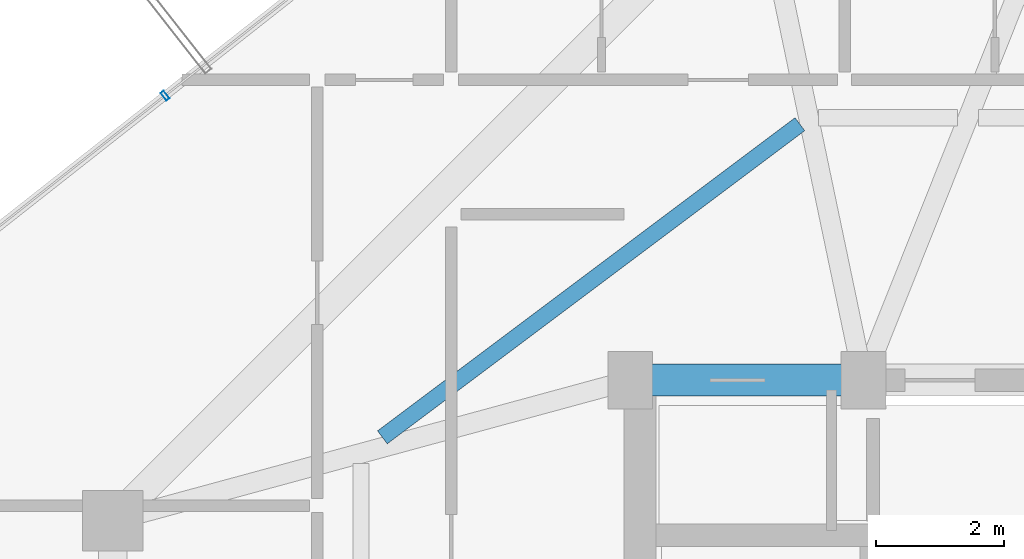
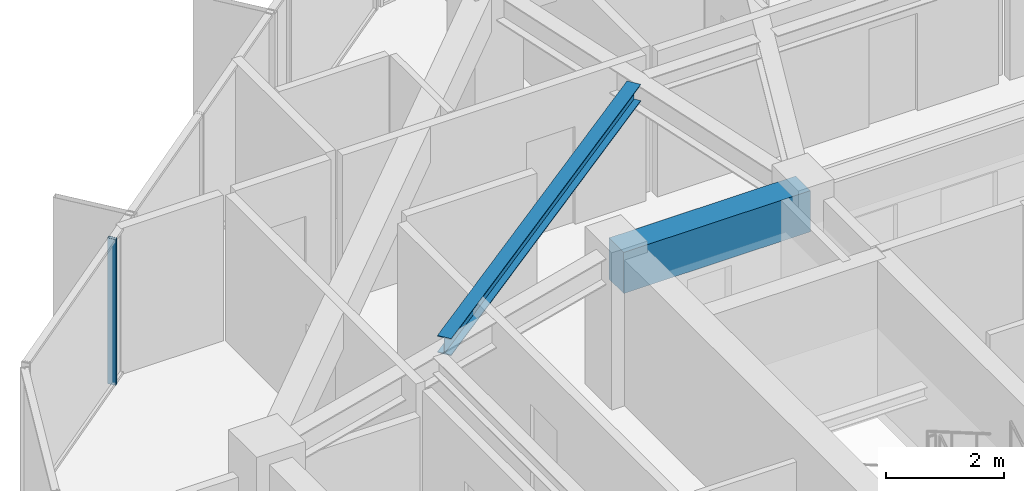
# One storey, part 14 of 31: 2 beams, 1 member, 1 element without a shape of its own.
"""IFC4 building model written with IfcOpenShell, lengths in metres."""

from ifc_helpers import new_model, si_unit, direction, frame, origin, origin_2d, place, context, subcontext, project, spatial, rectangle, hollow_rectangle, i_section, extrude, source, transform, mapped, material, layer, layer_set, material_profile, profile_set, type_object, element, aggregate, save


model = new_model("IFC4")

# Units and contexts
model_context = context("Model", 3, precision=1e-05, world=origin(), true_north=direction((0.0, 1.0)))
body_context = subcontext(model_context, "Body", "Model", "MODEL_VIEW")
ifc_project = project(units=[si_unit("LENGTHUNIT", "METRE"), si_unit("AREAUNIT", "SQUARE_METRE"), si_unit("VOLUMEUNIT", "CUBIC_METRE"), si_unit("PLANEANGLEUNIT", "RADIAN"), si_unit("MASSUNIT", "GRAM", prefix="KILO")], contexts=[model_context])

# Site, building, storey
site_placement = place(None, origin())
site = spatial("IfcSite", under=ifc_project, at=site_placement, CompositionType="ELEMENT")
building_placement = place(site_placement, origin())
building = spatial("IfcBuilding", under=site, at=building_placement, Name="Veraguas Prism Commons", CompositionType="ELEMENT")
storey_placement = place(building_placement, frame((0.0, 0.0, 178.85009765625)))
storey = spatial("IfcBuildingStorey", under=building, at=storey_placement, Name="L50", CompositionType="ELEMENT", Elevation=178.85009765625)

# Beams
ifc_material_1 = material(Name="Concrete C50/60", Category="concrete")
ifc_material_profile_1 = material_profile(ifc_material_1, rectangle(XDim=0.5, YDim=0.85009765625, at=origin_2d()), Name="RC500X850")
ifc_profile_set_1 = profile_set([ifc_material_profile_1], Name="Concrete C50/60")
beam_type_1 = type_object("IfcBeamType", Name="Core Coupling Beam RC 500x850", PredefinedType="BEAM", material=ifc_profile_set_1)
beam_1_placement = place(storey_placement, frame((17.199951171875, 31.0, 2.58984375), z_axis=(1.0, 0.0, 0.0), x_axis=(0.0, 1.0, 0.0)))
element("IfcBeam", 1, at=beam_1_placement, inside=storey, type_object=beam_type_1, Name="Core Coupling Beam L50-CRN1", PredefinedType="BEAM", context=body_context, shape_type="SweptSolid", body=[
    extrude(rectangle(XDim=0.5, YDim=0.85009765625, at=origin_2d()), origin(), (0.0, 0.0, 1.0), 3.650146484375),
])
ifc_material_2 = material(Name="Steel ASTM A992 Grade 50", Category="steel")
ifc_material_profile_2 = material_profile(ifc_material_2, i_section(OverallWidth=0.25390625, OverallDepth=0.35302734375, WebThickness=0.009521484375, FlangeThickness=0.016357421875, at=origin_2d()), Name="W360X91")
ifc_profile_set_2 = profile_set([ifc_material_profile_2], Name="Steel ASTM A992 Grade 50")
beam_type_2 = type_object("IfcBeamType", Name="Upper Floor Joist W360x91", PredefinedType="JOIST", material=ifc_profile_set_2)
beam_2_placement = place(storey_placement, frame((19.8564453125, 35.00634765625, 2.83837890625), z_axis=(-0.800060962004, -0.599918708724, 0.0), x_axis=(0.599918708724, -0.800060962004, 0.0)))
element("IfcBeam", 2, at=beam_2_placement, inside=storey, type_object=beam_type_2, Name="Composite Floor Joist L50-JS06", PredefinedType="JOIST", context=body_context, shape_type="SweptSolid", body=[
    extrude(i_section(OverallWidth=0.25390625, OverallDepth=0.35302734375, WebThickness=0.009521484375, FlangeThickness=0.016357421875, at=origin_2d()), origin(), (0.0, 0.0, 1.0), 8.169189453125),
])

# Curtain wall, member
ifc_material_3 = material(Name="Anodised aluminium EN AW-6063 T6", Category="aluminium")
ifc_layer = layer(ifc_material_3, 0.14990234375, Name="Unitised Flush Curtain Wall Zone 3", Category="aluminium")
ifc_layer_set = layer_set([ifc_layer], Name="Anodised aluminium EN AW-6063 T6")
curtain_wall_type = type_object("IfcCurtainWallType", Name="Unitised Flush Curtain Wall Zone 3", PredefinedType="NOTDEFINED", material=ifc_layer_set)
curtain_wall_placement = place(storey_placement, origin())
curtain_wall = element("IfcCurtainWall", 3, at=curtain_wall_placement, inside=storey, type_object=curtain_wall_type, Name="Tower Facade Curtain Wall L50-F2", PredefinedType="NOTDEFINED")
ifc_material_profile_3 = material_profile(ifc_material_3, hollow_rectangle(XDim=0.06005859375, YDim=0.14990234375, WallThickness=0.0029296875, at=origin_2d()), Name="AL60X150X3")
ifc_profile_set_3 = profile_set([ifc_material_profile_3], Name="Anodised aluminium EN AW-6063 T6")
member_type = type_object("IfcMemberType", Name="Curtain Wall Mullion Upper AL 60x150x3", PredefinedType="MULLION", material=ifc_profile_set_3)
shared_shape = source(origin(), body_context, "Body", "SweptSolid", [
    extrude(hollow_rectangle(XDim=0.06005859375, YDim=0.14990234375, WallThickness=0.0029296875, at=origin_2d()), origin(), (0.0, 0.0, 1.0), 3.014892578125),
])
member_placement = place(storey_placement, frame((9.91943359375, 35.454345703125, 0.0), z_axis=(0.0, 0.0, 1.0), x_axis=(-0.785642059854, -0.618681302278, 0.0)))
member = element("IfcMember", 4, at=member_placement, type_object=member_type, Name="CW-Z3 Mullion 4", PredefinedType="MULLION", context=body_context, shape_type="MappedRepresentation", body=[
    mapped(shared_shape, transform((0.0, 0.0, 0.0), scale=1.0)),
])
aggregate(curtain_wall, [member])

save(model, "model.ifc")
